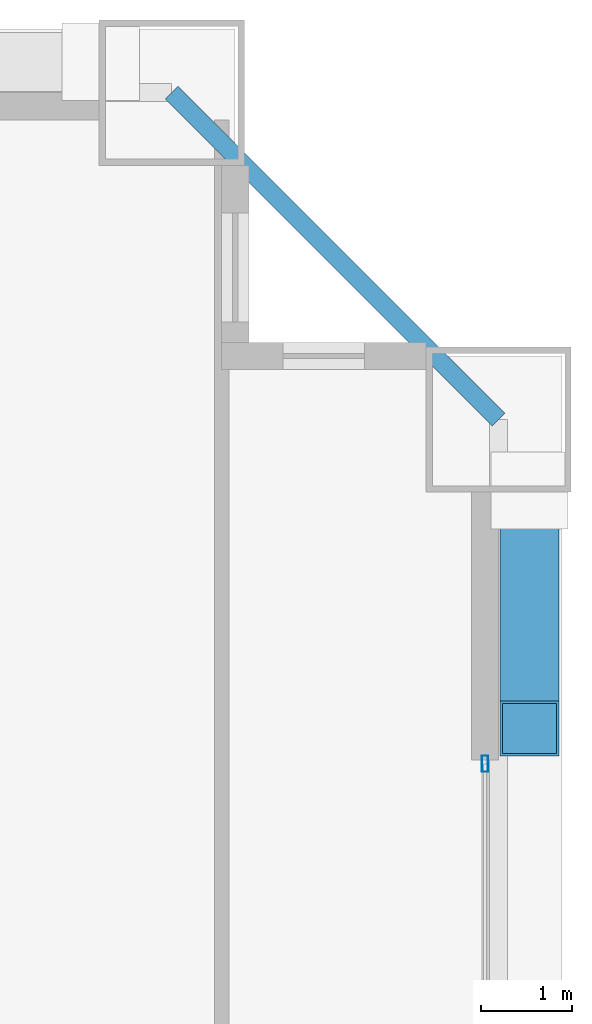
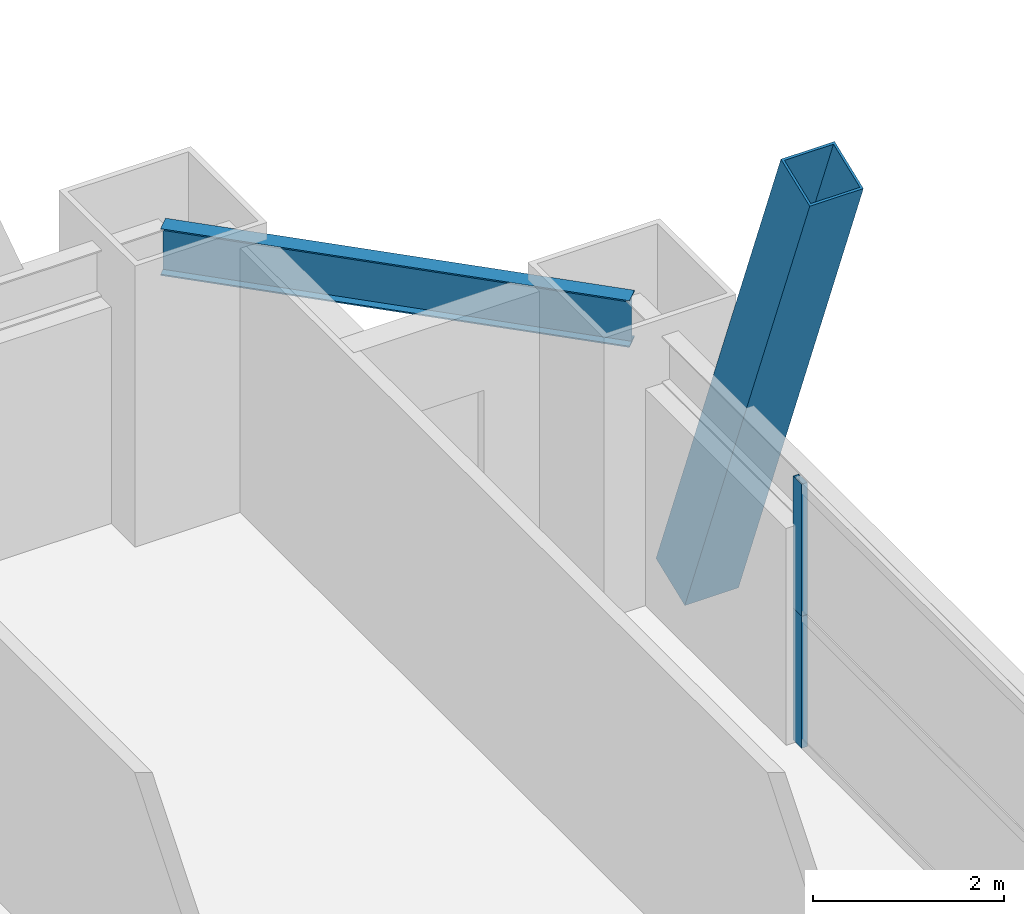
# One storey, part 33 of 43: 3 members, 1 beam, 1 element without a shape of its own.
"""IFC4 building model written with IfcOpenShell, lengths in metres."""

from ifc_helpers import new_model, si_unit, direction, frame, origin, origin_2d, place, context, subcontext, project, spatial, hollow_rectangle, i_section, extrude, source, transform, mapped, material, layer, layer_set, material_profile, profile_set, type_object, element, aggregate, save


model = new_model("IFC4")

# Units and contexts
model_context = context("Model", 3, precision=1e-05, world=origin(), true_north=direction((0.0, 1.0)))
body_context = subcontext(model_context, "Body", "Model", "MODEL_VIEW")
ifc_project = project(units=[si_unit("LENGTHUNIT", "METRE"), si_unit("AREAUNIT", "SQUARE_METRE"), si_unit("VOLUMEUNIT", "CUBIC_METRE"), si_unit("PLANEANGLEUNIT", "RADIAN"), si_unit("MASSUNIT", "GRAM", prefix="KILO"), si_unit("THERMODYNAMICTEMPERATUREUNIT", "KELVIN"), si_unit("POWERUNIT", "WATT")], contexts=[model_context])

# Site, building, storey
site_placement = place(None, origin())
site = spatial("IfcSite", under=ifc_project, at=site_placement, CompositionType="ELEMENT")
building_placement = place(site_placement, origin())
building = spatial("IfcBuilding", under=site, at=building_placement, Name="Yuzanri Waterfront Tower", CompositionType="ELEMENT")
storey_placement = place(building_placement, frame((0.0, 0.0, 93.800048828125)))
storey = spatial("IfcBuildingStorey", under=building, at=storey_placement, Name="L24", CompositionType="ELEMENT", Elevation=93.800048828125)

# Beam
ifc_material_1 = material(Name="Steel Q355B", Category="steel")
ifc_material_profile_1 = material_profile(ifc_material_1, i_section(OverallWidth=0.199951171875, OverallDepth=0.60009765625, WebThickness=0.010986328125, FlangeThickness=0.01708984375, at=origin_2d()), Name="HN 600x200x11x17")
ifc_profile_set_1 = profile_set([ifc_material_profile_1], Name="Steel Q355B")
beam_type = type_object("IfcBeamType", Name="Perimeter Spandrel Q355B HN 600x200", PredefinedType="SPANDREL", material=ifc_profile_set_1)
shared_shape_1 = source(origin(), body_context, "Body", "SweptSolid", [
    extrude(i_section(OverallWidth=0.199951171875, OverallDepth=0.60009765625, WebThickness=0.010986328125, FlangeThickness=0.01708984375, at=origin_2d()), origin(), (0.0, 0.0, 1.0), 5.091064453125),
])
beam_placement = place(storey_placement, frame((60.60009765625, 45.800048828125, 3.079833984375), z_axis=(-0.707130757816, 0.707082803744, 0.0), x_axis=(-0.707082803744, -0.707130757816, 0.0)))
element("IfcBeam", 1, at=beam_placement, inside=storey, type_object=beam_type, Name="L24 Perimeter Spandrel E3-N3", PredefinedType="SPANDREL", context=body_context, shape_type="MappedRepresentation", body=[
    mapped(shared_shape_1, transform((0.0, 0.0, 0.0), scale=1.0)),
])

# Member
ifc_material_2 = material(Name="Steel Q420GJC", Category="steel")
ifc_material_profile_2 = material_profile(ifc_material_2, hollow_rectangle(XDim=0.64990234375, YDim=0.64990234375, WallThickness=0.028076171875, at=origin_2d()), Name="RHS 650x650x28")
ifc_profile_set_2 = profile_set([ifc_material_profile_2], Name="Steel Q420GJC")
member_type_1 = type_object("IfcMemberType", Name="Mega Brace Lower Q420GJC RHS 650x650x28", PredefinedType="BRACE", material=ifc_profile_set_2)
shared_shape_2 = source(origin(), body_context, "Body", "SweptSolid", [
    extrude(hollow_rectangle(XDim=0.64990234375, YDim=0.64990234375, WallThickness=0.028076171875, at=origin_2d()), origin(), (0.0, 0.0, 1.0), 7.194091796875),
])
member_1_placement = place(storey_placement, frame((60.93994140625, 45.02001953125, 0.179931640625), z_axis=(0.0, -0.36420612543, 0.931318365651), x_axis=(1.0, 0.0, 0.0)))
element("IfcMember", 2, at=member_1_placement, inside=storey, type_object=member_type_1, Name="L24-L25 Perimeter Mega-Brace E-R", PredefinedType="BRACE", context=body_context, shape_type="MappedRepresentation", body=[
    mapped(shared_shape_2, transform((0.0, 0.0, 0.0), scale=1.0)),
])

# Curtain wall, members
ifc_material_3 = material(Name="Anodized Architectural Bronze", Category="metal")
ifc_layer = layer(ifc_material_3, 0.159912109375)
ifc_layer_set = layer_set([ifc_layer], Name="Anodized Architectural Bronze")
curtain_wall_type = type_object("IfcCurtainWallType", Name="Anodized Bronze Hotel Upper-Tier Solar-Control Unitized Curtain Wall 7800", PredefinedType="NOTDEFINED", material=ifc_layer_set)
curtain_wall_placement = place(storey_placement, origin())
curtain_wall = element("IfcCurtainWall", 3, at=curtain_wall_placement, inside=storey, type_object=curtain_wall_type, Name="L24 Curtain Wall CW-L24-ER", PredefinedType="NOTDEFINED")
ifc_material_4 = material(Name="Anodized Architectural Bronze", Category="metal")
ifc_material_profile_3 = material_profile(ifc_material_4, hollow_rectangle(XDim=0.070068359375, YDim=0.179931640625, WallThickness=0.00390625, at=origin_2d()), Name="CWM 70x180")
ifc_profile_set_3 = profile_set([ifc_material_profile_3], Name="Anodized Architectural Bronze")
member_type_2 = type_object("IfcMemberType", Name="Anodized Bronze Standard Curtain-Wall Mullion 70x180", PredefinedType="MULLION", material=ifc_profile_set_3)
shared_shape_3 = source(origin(), body_context, "Body", "SweptSolid", [
    extrude(hollow_rectangle(XDim=0.070068359375, YDim=0.179931640625, WallThickness=0.00390625, at=origin_2d()), origin(), (0.0, 0.0, 1.0), 1.68798828125),
])
member_2_placement = place(storey_placement, frame((60.449951171875, 42.010009765625, 0.0), z_axis=(0.0, 0.0, 1.0), x_axis=(1.0, 0.0, 0.0)))
member_2 = element("IfcMember", 4, at=member_2_placement, type_object=member_type_2, Name="CW-L24-ER Lower Mullion 02", PredefinedType="MULLION", context=body_context, shape_type="MappedRepresentation", body=[
    mapped(shared_shape_3, transform((0.0, 0.0, 0.0), scale=1.0)),
])
member_3_placement = place(storey_placement, frame((60.449951171875, 42.010009765625, 1.69189453125), z_axis=(0.0, 0.0, 1.0), x_axis=(1.0, 0.0, 0.0)))
member_3 = element("IfcMember", 5, at=member_3_placement, type_object=member_type_2, Name="CW-L24-ER Upper Mullion 02", PredefinedType="MULLION", context=body_context, shape_type="MappedRepresentation", body=[
    mapped(shared_shape_3, transform((0.0, 0.0, 0.0), scale=1.0)),
])
aggregate(curtain_wall, [member_2, member_3])

save(model, "model.ifc")
